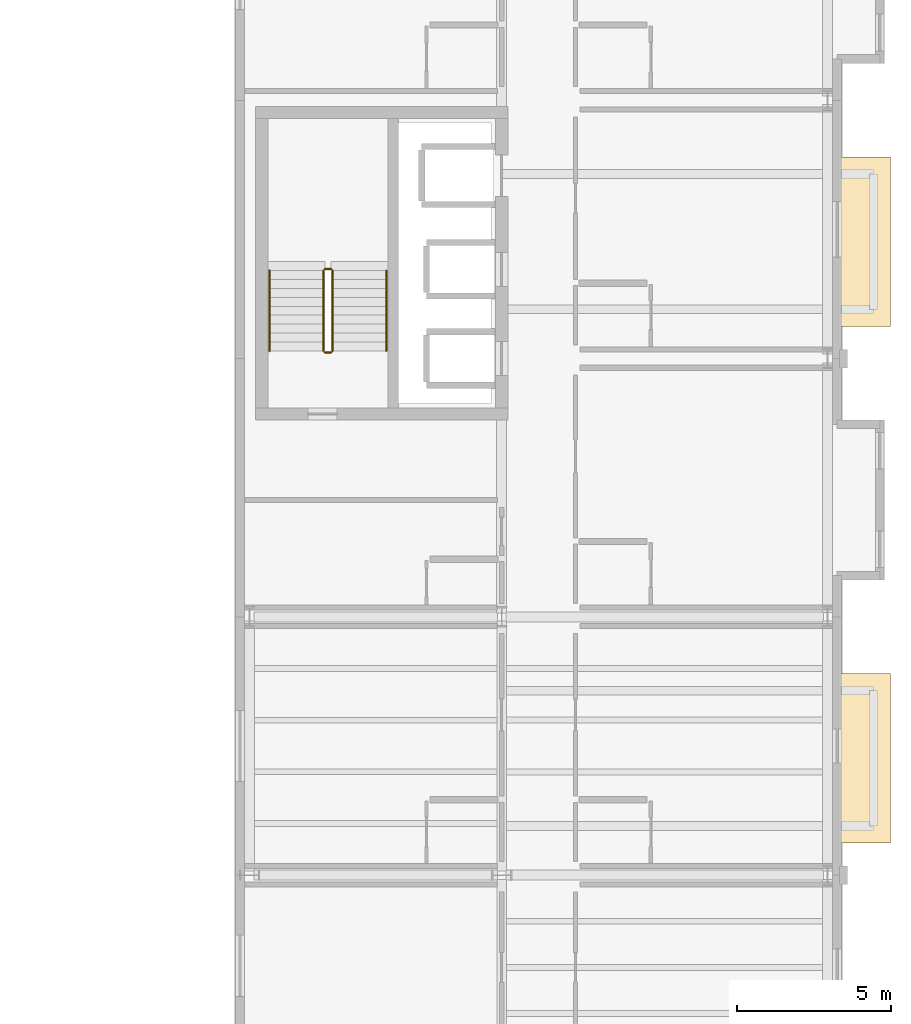
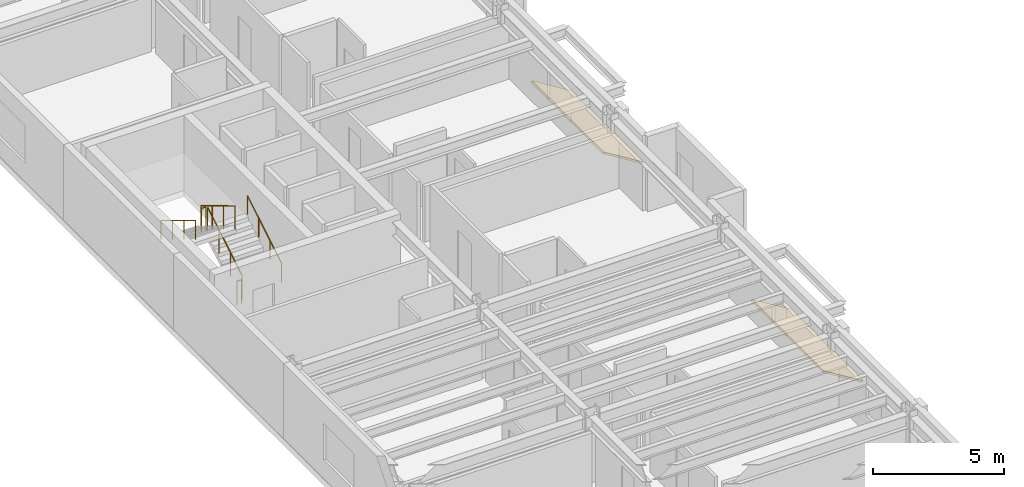
# One storey, part 23 of 23: 6 railings, 2 coverings.
"""IFC4 building model written with IfcOpenShell, lengths in metres."""

from ifc_helpers import new_model, si_unit, direction, frame, origin, origin_2d, place, context, subcontext, project, spatial, polyline, circle, outline, extrude, material, layer, layer_set, type_object, element, save


model = new_model("IFC4")

# Units and contexts
model_context = context("Model", 3, precision=1e-05, world=origin(), true_north=direction((0.0, 1.0)))
body_context = subcontext(model_context, "Body", "Model", "MODEL_VIEW")
ifc_project = project(units=[si_unit("LENGTHUNIT", "METRE"), si_unit("AREAUNIT", "SQUARE_METRE"), si_unit("VOLUMEUNIT", "CUBIC_METRE"), si_unit("PLANEANGLEUNIT", "RADIAN"), si_unit("MASSUNIT", "GRAM", prefix="KILO")], contexts=[model_context])

# Site, building, storey
site_placement = place(None, origin())
site = spatial("IfcSite", under=ifc_project, at=site_placement, CompositionType="ELEMENT")
building_placement = place(site_placement, origin())
building = spatial("IfcBuilding", under=site, at=building_placement, Name="Sollismere Congress Hotel", CompositionType="ELEMENT")
storey_placement = place(building_placement, frame((0.0, 0.0, 30.60009765625)))
storey = spatial("IfcBuildingStorey", under=building, at=storey_placement, Name="L07", CompositionType="ELEMENT", Elevation=30.60009765625)

# Coverings
ifc_material_1 = material(Name="Standing-Seam Titanium-Zinc Roof Assembly")
ifc_layer = layer(ifc_material_1, 0.054931640625, Name="Standing-Seam Titanium-Zinc Roof Assembly")
ifc_layer_set = layer_set([ifc_layer], Name="Standing-Seam Titanium-Zinc Roof Assembly")
covering_type = type_object("IfcCoveringType", Name="CV-RFZNC", PredefinedType="ROOFING", material=ifc_layer_set)
for number, where, z_axis, x_axis, name in (
    (1, (166.258056640625, 25.85009765625, 0.706787109375), (0.525209771298, 0.0, 0.850972794003), (0.850972794003, 0.0, -0.525209771298), "Cikma bay sacak hood SL-CKH-20"),
    (2, (166.258056640625, 42.64990234375, 0.706787109375), (0.525209771298, 0.0, 0.850972794003), (0.850972794003, 0.0, -0.525209771298), "Cikma bay sacak hood SL-CKH-21"),
):
    element("IfcCovering", number, at=place(storey_placement, frame(where, z_axis=z_axis, x_axis=x_axis)), inside=storey, type_object=covering_type, Name=name, PredefinedType="ROOFING", context=body_context, shape_type="SweptSolid", body=[
        extrude(outline(polyline([(0.0, 0.0), (2.056396484375, 0.0), (2.056396484375, 5.5), (0.0, 5.5), (0.0, 0.0)])), origin(), (0.0, 0.0, 1.0), 0.080078125),
    ])

# Railings
ifc_material_2 = material(Name="Steel ASTM A500 Grade C", Category="steel")
railing_type_1 = type_object("IfcRailingType", Name="RL-GRD112", PredefinedType="GUARDRAIL", material=ifc_material_2)
railing_1_placement = place(storey_placement, frame((149.89990234375, 41.85009765625, 0.1748046875)))
element("IfcRailing", 3, at=railing_1_placement, inside=storey, type_object=railing_type_1, Name="RLG-RG-ST-03-L07-1", PredefinedType="GUARDRAIL", context=body_context, shape_type="SweptSolid", body=[
    extrude(circle(Radius=0.02392578125, at=origin_2d()), frame((0.0, 0.0, 1.09619140625), z_axis=(0.0, 0.856147343639, 0.516731773728), x_axis=(-1.0, 0.0, 0.0)), (0.0, 0.0, 1.0), 3.04833984375),
    extrude(circle(Radius=0.02099609375, at=origin_2d()), origin(), (0.0, 0.0, 1.0), 1.072021484375),
    extrude(circle(Radius=0.02099609375, at=origin_2d()), frame((0.0, 0.869873046875, 0.525146484375)), (0.0, 0.0, 1.0), 1.072021484375),
    extrude(circle(Radius=0.02099609375, at=origin_2d()), frame((0.0, 1.739990234375, 1.050048828125)), (0.0, 0.0, 1.0), 1.072021484375),
    extrude(circle(Radius=0.02099609375, at=origin_2d()), frame((0.0, 2.60986328125, 1.5751953125)), (0.0, 0.0, 1.0), 1.072021484375),
])
railing_2_placement = place(storey_placement, frame((149.85009765625, 44.510009765625, 1.75)))
element("IfcRailing", 4, at=railing_2_placement, inside=storey, type_object=railing_type_1, Name="RLG-RG-ST-03-L07-2", PredefinedType="GUARDRAIL", context=body_context, shape_type="SweptSolid", body=[
    extrude(circle(Radius=0.02392578125, at=origin_2d()), frame((0.0, 0.0, 1.09619140625), z_axis=(-1.0, 0.0, 0.0), x_axis=(0.0, -1.0, 0.0)), (0.0, 0.0, 1.0), 0.2001953125),
    extrude(circle(Radius=0.02099609375, at=origin_2d()), origin(), (0.0, 0.0, 1.0), 1.072021484375),
    extrude(circle(Radius=0.02099609375, at=origin_2d()), frame((-0.2001953125, 0.0, 0.0)), (0.0, 0.0, 1.0), 1.072021484375),
])
railing_3_placement = place(storey_placement, frame((149.60009765625, 44.4599609375, 1.9248046875)))
element("IfcRailing", 5, at=railing_3_placement, inside=storey, type_object=railing_type_1, Name="RLG-RG-ST-03-L07-3", PredefinedType="GUARDRAIL", context=body_context, shape_type="SweptSolid", body=[
    extrude(circle(Radius=0.02392578125, at=origin_2d()), frame((0.0, 0.0, 1.09619140625), z_axis=(0.0, -0.856147343639, 0.516731773728), x_axis=(1.0, 0.0, 0.0)), (0.0, 0.0, 1.0), 3.04833984375),
    extrude(circle(Radius=0.02099609375, at=origin_2d()), origin(), (0.0, 0.0, 1.0), 1.072021484375),
    extrude(circle(Radius=0.02099609375, at=origin_2d()), frame((0.0, -0.869873046875, 0.525146484375)), (0.0, 0.0, 1.0), 1.072021484375),
    extrude(circle(Radius=0.02099609375, at=origin_2d()), frame((0.0, -1.739990234375, 1.050048828125)), (0.0, 0.0, 1.0), 1.072021484375),
    extrude(circle(Radius=0.02099609375, at=origin_2d()), frame((0.0, -2.60986328125, 1.5751953125)), (0.0, 0.0, 1.0), 1.072021484375),
])
railing_4_placement = place(storey_placement, frame((149.85009765625, 41.800048828125, 0.0)))
element("IfcRailing", 6, at=railing_4_placement, inside=storey, type_object=railing_type_1, Name="RLG-RG-ST-03-L07-4", PredefinedType="GUARDRAIL", context=body_context, shape_type="SweptSolid", body=[
    extrude(circle(Radius=0.02392578125, at=origin_2d()), frame((0.0, 0.0, 1.09619140625), z_axis=(-1.0, 0.0, 0.0), x_axis=(0.0, -1.0, 0.0)), (0.0, 0.0, 1.0), 0.2001953125),
    extrude(circle(Radius=0.02099609375, at=origin_2d()), origin(), (0.0, 0.0, 1.0), 1.072021484375),
    extrude(circle(Radius=0.02099609375, at=origin_2d()), frame((-0.2001953125, 0.0, 0.0)), (0.0, 0.0, 1.0), 1.072021484375),
])
ifc_material_3 = material(Name="Brushed Architectural Bronze")
railing_type_2 = type_object("IfcRailingType", Name="RL-HND90", PredefinedType="HANDRAIL", material=ifc_material_3)
railing_5_placement = place(storey_placement, frame((151.64990234375, 41.85009765625, 0.325927734375)))
element("IfcRailing", 7, at=railing_5_placement, inside=storey, type_object=railing_type_2, Name="RLG-RH-ST-03-L07-1", PredefinedType="HANDRAIL", context=body_context, shape_type="SweptSolid", body=[
    extrude(circle(Radius=0.02392578125, at=origin_2d()), frame((0.0, 0.0, 0.8759765625), z_axis=(0.0, 0.85618277418, 0.516673066065), x_axis=(-1.0, 0.0, 0.0)), (0.0, 0.0, 1.0), 3.04833984375),
    extrude(circle(Radius=0.02099609375, at=origin_2d()), origin(), (0.0, 0.0, 1.0), 0.851806640625),
    extrude(circle(Radius=0.02099609375, at=origin_2d()), frame((0.0, 0.869873046875, 0.52490234375)), (0.0, 0.0, 1.0), 0.851806640625),
    extrude(circle(Radius=0.02099609375, at=origin_2d()), frame((0.0, 1.739990234375, 1.050048828125)), (0.0, 0.0, 1.0), 0.851806640625),
    extrude(circle(Radius=0.02099609375, at=origin_2d()), frame((0.0, 2.60986328125, 1.574951171875)), (0.0, 0.0, 1.0), 0.851806640625),
])
railing_6_placement = place(storey_placement, frame((147.85009765625, 44.4599609375, 2.075927734375)))
element("IfcRailing", 8, at=railing_6_placement, inside=storey, type_object=railing_type_2, Name="RLG-RH-ST-03-L07-2", PredefinedType="HANDRAIL", context=body_context, shape_type="SweptSolid", body=[
    extrude(circle(Radius=0.02392578125, at=origin_2d()), frame((0.0, 0.0, 0.8759765625), z_axis=(0.0, -0.85618277418, 0.516673066065), x_axis=(1.0, 0.0, 0.0)), (0.0, 0.0, 1.0), 3.04833984375),
    extrude(circle(Radius=0.02099609375, at=origin_2d()), origin(), (0.0, 0.0, 1.0), 0.851806640625),
    extrude(circle(Radius=0.02099609375, at=origin_2d()), frame((0.0, -0.869873046875, 0.52490234375)), (0.0, 0.0, 1.0), 0.851806640625),
    extrude(circle(Radius=0.02099609375, at=origin_2d()), frame((0.0, -1.739990234375, 1.050048828125)), (0.0, 0.0, 1.0), 0.851806640625),
    extrude(circle(Radius=0.02099609375, at=origin_2d()), frame((0.0, -2.60986328125, 1.574951171875)), (0.0, 0.0, 1.0), 0.851806640625),
])

save(model, "model.ifc")
